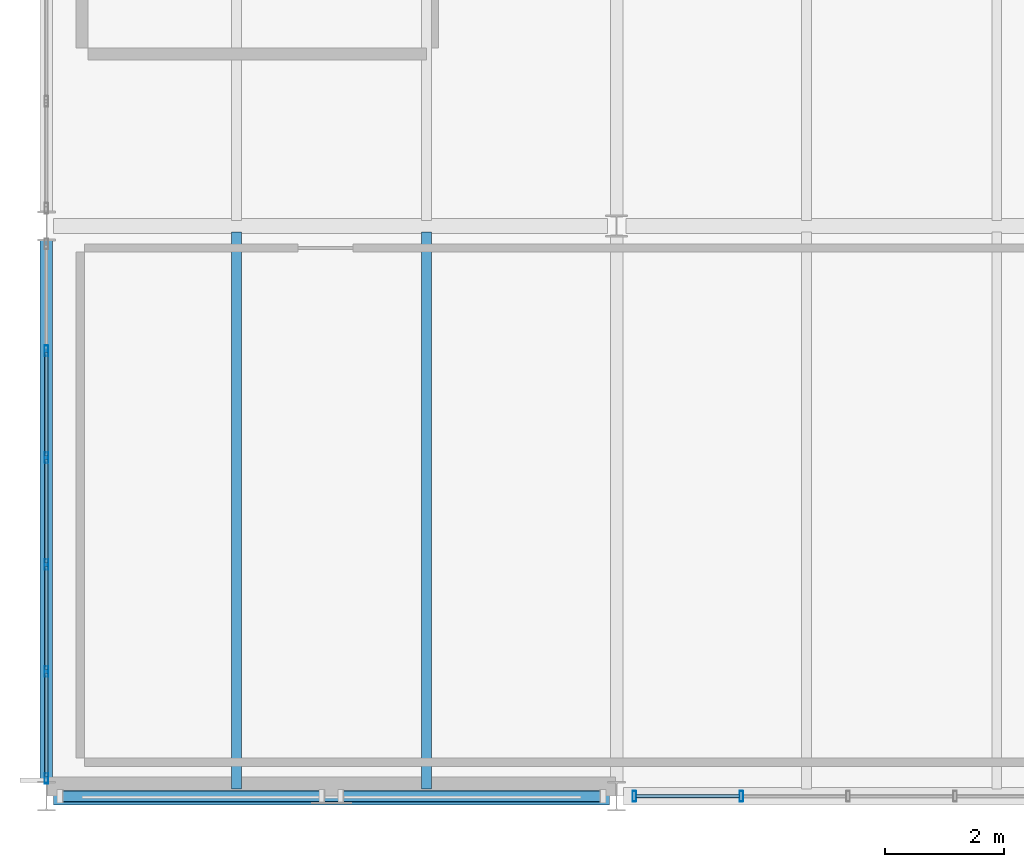
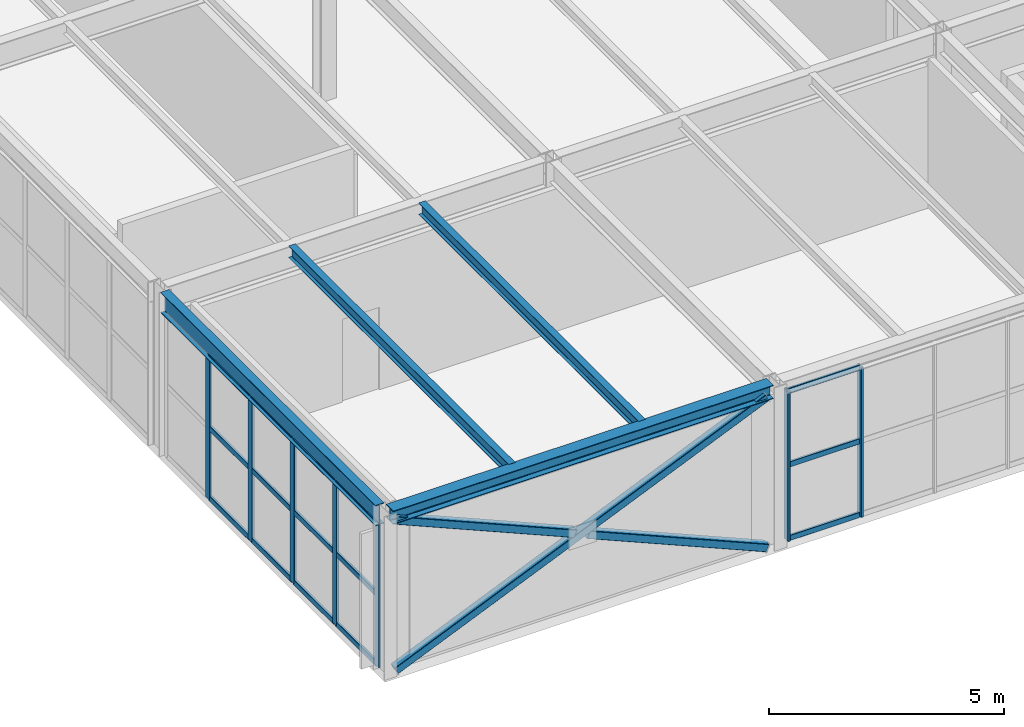
# One storey, part 16 of 170: 25 members, 4 beams, 2 elements without a shape of their own.
"""IFC4 building model written with IfcOpenShell, lengths in metres."""

from ifc_helpers import new_model, si_unit, direction, frame, origin, origin_2d, place, context, subcontext, project, spatial, hollow_rectangle, i_section, extrude, material, material_profile, profile_set, type_object, element, aggregate, save


model = new_model("IFC4")

# Units and contexts
model_context = context("Model", 3, precision=1e-05, world=origin(), true_north=direction((0.0, 1.0)))
body_context = subcontext(model_context, "Body", "Model", "MODEL_VIEW")
ifc_project = project(units=[si_unit("LENGTHUNIT", "METRE"), si_unit("AREAUNIT", "SQUARE_METRE"), si_unit("VOLUMEUNIT", "CUBIC_METRE"), si_unit("PLANEANGLEUNIT", "RADIAN"), si_unit("MASSUNIT", "GRAM", prefix="KILO")], contexts=[model_context])

# Site, building, storey
site_placement = place(None, origin())
site = spatial("IfcSite", under=ifc_project, at=site_placement, CompositionType="ELEMENT")
building_placement = place(site_placement, origin())
building = spatial("IfcBuilding", under=site, at=building_placement, Name="Coralgate Yard Interchange", CompositionType="ELEMENT")
storey_placement = place(building_placement, frame((0.0, 0.0, 6.0)))
storey = spatial("IfcBuildingStorey", under=building, at=storey_placement, Name="L01", CompositionType="ELEMENT", Elevation=6.0)

# Beams
ifc_material_1 = material(Name="Structural steel S355J2", Category="steel")
ifc_material_profile_1 = material_profile(ifc_material_1, i_section(OverallWidth=0.209228515625, OverallDepth=0.533203125, WebThickness=0.010009765625, FlangeThickness=0.015625, FilletRadius=0.0126953125, at=origin_2d()), Name="UB 533x210x92")
ifc_profile_set_1 = profile_set([ifc_material_profile_1], Name="Structural steel S355J2")
beam_type_1 = type_object("IfcBeamType", Name="BM-SB-1", PredefinedType="BEAM", material=ifc_profile_set_1)
beam_1_placement = place(storey_placement, frame((0.0, 0.219970703125, 3.9833984375), z_axis=(0.0, 1.0, 0.0), x_axis=(-1.0, 0.0, 0.0)))
element("IfcBeam", 1, at=beam_1_placement, inside=storey, type_object=beam_type_1, Name="L01 primary grid girder X0 Y0-1", PredefinedType="BEAM", context=body_context, shape_type="SweptSolid", body=[
    extrude(i_section(OverallWidth=0.209228515625, OverallDepth=0.533203125, WebThickness=0.010009765625, FlangeThickness=0.015625, FilletRadius=0.0126953125, at=origin_2d()), origin(), (0.0, 0.0, 1.0), 9.159912109375),
])
ifc_material_profile_2 = material_profile(ifc_material_1, i_section(OverallWidth=0.1650390625, OverallDepth=0.303466796875, WebThickness=0.006103515625, FlangeThickness=0.01025390625, FilletRadius=0.0087890625, at=origin_2d()), Name="UB 305x165x40")
ifc_profile_set_2 = profile_set([ifc_material_profile_2], Name="Structural steel S355J2")
beam_type_2 = type_object("IfcBeamType", Name="BM-SJ-1", PredefinedType="JOIST", material=ifc_profile_set_2)
for number, where, z_axis, x_axis, name in (
    (2, (3.199951171875, 0.1201171875, 4.098388671875), (0.0, 1.0, 0.0), (-1.0, 0.0, 0.0), "L01 composite floor joist 0-0-1"),
    (3, (6.39990234375, 0.1201171875, 4.098388671875), (0.0, 1.0, 0.0), (-1.0, 0.0, 0.0), "L01 composite floor joist 0-0-2"),
):
    element("IfcBeam", number, at=place(storey_placement, frame(where, z_axis=z_axis, x_axis=x_axis)), inside=storey, type_object=beam_type_2, Name=name, PredefinedType="JOIST", context=body_context, shape_type="SweptSolid", body=[
        extrude(i_section(OverallWidth=0.1650390625, OverallDepth=0.303466796875, WebThickness=0.006103515625, FlangeThickness=0.01025390625, FilletRadius=0.0087890625, at=origin_2d()), origin(), (0.0, 0.0, 1.0), 9.383056640625),
    ])
ifc_material_profile_3 = material_profile(ifc_material_1, i_section(OverallWidth=0.300048828125, OverallDepth=0.35009765625, WebThickness=0.010009765625, FlangeThickness=0.017578125, FilletRadius=0.027099609375, at=origin_2d()), Name="HEA 360")
ifc_profile_set_3 = profile_set([ifc_material_profile_3], Name="Structural steel S355J2")
beam_type_3 = type_object("IfcBeamType", Name="BM-SP-1", PredefinedType="SPANDREL", material=ifc_profile_set_3)
beam_2_placement = place(storey_placement, frame((0.1201171875, 0.0, 4.074951171875), z_axis=(1.0, 0.0, 0.0), x_axis=(0.0, 1.0, 0.0)))
element("IfcBeam", 4, at=beam_2_placement, inside=storey, type_object=beam_type_3, Name="L01 primary grid beam Y0 X0-1", PredefinedType="SPANDREL", context=body_context, shape_type="SweptSolid", body=[
    extrude(i_section(OverallWidth=0.300048828125, OverallDepth=0.35009765625, WebThickness=0.010009765625, FlangeThickness=0.017578125, FilletRadius=0.027099609375, at=origin_2d()), origin(), (0.0, 0.0, 1.0), 9.35986328125),
])

# Members
ifc_material_profile_4 = material_profile(ifc_material_1, hollow_rectangle(XDim=0.199951171875, YDim=0.199951171875, WallThickness=0.010009765625, InnerFilletRadius=0.010009765625, OuterFilletRadius=0.02001953125, at=origin_2d()), Name="SHS 200x200x10")
ifc_profile_set_4 = profile_set([ifc_material_profile_4], Name="Structural steel S355J2")
member_type_1 = type_object("IfcMemberType", Name="MB-BR-5", PredefinedType="BRACE", material=ifc_profile_set_4)
member_1_placement = place(storey_placement, frame((0.239990234375, 0.0, 0.02001953125), z_axis=(0.919097936952, 0.0, 0.394029164265), x_axis=(0.0, 1.0, 0.0)))
element("IfcMember", 5, at=member_1_placement, inside=storey, type_object=member_type_1, Name="L01 continuous concentric X-brace S-A", PredefinedType="BRACE", context=body_context, shape_type="SweptSolid", body=[
    extrude(hollow_rectangle(XDim=0.199951171875, YDim=0.199951171875, WallThickness=0.010009765625, InnerFilletRadius=0.010009765625, OuterFilletRadius=0.02001953125, at=origin_2d()), origin(), (0.0, 0.0, 1.0), 9.9228515625),
])
member_2_placement = place(storey_placement, frame((9.360107421875, 0.0, 0.02001953125), z_axis=(-0.919089549359, 0.0, 0.39404872828), x_axis=(0.0, -1.0, 0.0)))
element("IfcMember", 6, at=member_2_placement, inside=storey, type_object=member_type_1, Name="L01 split concentric X-brace S-B1", PredefinedType="BRACE", context=body_context, shape_type="SweptSolid", body=[
    extrude(hollow_rectangle(XDim=0.199951171875, YDim=0.199951171875, WallThickness=0.010009765625, InnerFilletRadius=0.010009765625, OuterFilletRadius=0.02001953125, at=origin_2d()), origin(), (0.0, 0.0, 1.0), 4.780517578125),
])
member_3_placement = place(storey_placement, frame((4.633544921875, 0.0, 2.04638671875), z_axis=(-0.919100115496, 0.0, 0.394024082633), x_axis=(0.0, -1.0, 0.0)))
element("IfcMember", 7, at=member_3_placement, inside=storey, type_object=member_type_1, Name="L01 split concentric X-brace S-B2", PredefinedType="BRACE", context=body_context, shape_type="SweptSolid", body=[
    extrude(hollow_rectangle(XDim=0.199951171875, YDim=0.199951171875, WallThickness=0.010009765625, InnerFilletRadius=0.010009765625, OuterFilletRadius=0.02001953125, at=origin_2d()), origin(), (0.0, 0.0, 1.0), 4.7802734375),
])

# Curtain wall, members
ifc_material_2 = material(Name="Anodised coastal aluminium and solar-control low-E glass", Category="aluminium")
curtain_wall_type_1 = type_object("IfcCurtainWallType", Name="CW-CW-L01-B", PredefinedType="NOTDEFINED", material=ifc_material_2)
curtain_wall_1_placement = place(storey_placement, origin())
curtain_wall_1 = element("IfcCurtainWall", 8, at=curtain_wall_1_placement, inside=storey, type_object=curtain_wall_type_1, Name="L01 unitised curtain wall CW-L01-W-00-00", PredefinedType="NOTDEFINED")
ifc_material_3 = material(Name="Anodised coastal aluminium 6063-T6", Category="aluminium")
ifc_material_profile_5 = material_profile(ifc_material_3, hollow_rectangle(XDim=0.06005859375, YDim=0.179931640625, WallThickness=0.00390625, InnerFilletRadius=0.00390625, OuterFilletRadius=0.008056640625, at=origin_2d()), Name="ALU 60x180x4")
ifc_profile_set_5 = profile_set([ifc_material_profile_5], Name="Anodised coastal aluminium 6063-T6")
member_type_2 = type_object("IfcMemberType", Name="MB-MUL-180", PredefinedType="MULLION", material=ifc_profile_set_5)
member_4_placement = place(storey_placement, frame((0.0, 0.300048828125, 0.0), z_axis=(0.0, 0.0, 1.0), x_axis=(1.0, 0.0, 0.0)))
member_4 = element("IfcMember", 9, at=member_4_placement, type_object=member_type_2, Name="CW-L01-W-00-00 vertical mullion 1", PredefinedType="MULLION", context=body_context, shape_type="SweptSolid", body=[
    extrude(hollow_rectangle(XDim=0.06005859375, YDim=0.179931640625, WallThickness=0.00390625, InnerFilletRadius=0.00390625, OuterFilletRadius=0.008056640625, at=origin_2d()), origin(), (0.0, 0.0, 1.0), 3.716796875),
])
member_5_placement = place(storey_placement, frame((0.0, 2.10009765625, 0.0), z_axis=(0.0, 0.0, 1.0), x_axis=(1.0, 0.0, 0.0)))
member_5 = element("IfcMember", 10, at=member_5_placement, type_object=member_type_2, Name="CW-L01-W-00-00 vertical mullion 2", PredefinedType="MULLION", context=body_context, shape_type="SweptSolid", body=[
    extrude(hollow_rectangle(XDim=0.06005859375, YDim=0.179931640625, WallThickness=0.00390625, InnerFilletRadius=0.00390625, OuterFilletRadius=0.008056640625, at=origin_2d()), origin(), (0.0, 0.0, 1.0), 3.716796875),
])
member_6_placement = place(storey_placement, frame((0.0, 3.89990234375, 0.0), z_axis=(0.0, 0.0, 1.0), x_axis=(1.0, 0.0, 0.0)))
member_6 = element("IfcMember", 11, at=member_6_placement, type_object=member_type_2, Name="CW-L01-W-00-00 vertical mullion 3", PredefinedType="MULLION", context=body_context, shape_type="SweptSolid", body=[
    extrude(hollow_rectangle(XDim=0.06005859375, YDim=0.179931640625, WallThickness=0.00390625, InnerFilletRadius=0.00390625, OuterFilletRadius=0.008056640625, at=origin_2d()), origin(), (0.0, 0.0, 1.0), 3.716796875),
])
member_7_placement = place(storey_placement, frame((0.0, 5.699951171875, 0.0), z_axis=(0.0, 0.0, 1.0), x_axis=(1.0, 0.0, 0.0)))
member_7 = element("IfcMember", 12, at=member_7_placement, type_object=member_type_2, Name="CW-L01-W-00-00 vertical mullion 4", PredefinedType="MULLION", context=body_context, shape_type="SweptSolid", body=[
    extrude(hollow_rectangle(XDim=0.06005859375, YDim=0.179931640625, WallThickness=0.00390625, InnerFilletRadius=0.00390625, OuterFilletRadius=0.008056640625, at=origin_2d()), origin(), (0.0, 0.0, 1.0), 3.716796875),
])
member_8_placement = place(storey_placement, frame((0.0, 7.5, 0.0), z_axis=(0.0, 0.0, 1.0), x_axis=(1.0, 0.0, 0.0)))
member_8 = element("IfcMember", 13, at=member_8_placement, type_object=member_type_2, Name="CW-L01-W-00-00 vertical mullion 5", PredefinedType="MULLION", context=body_context, shape_type="SweptSolid", body=[
    extrude(hollow_rectangle(XDim=0.06005859375, YDim=0.179931640625, WallThickness=0.00390625, InnerFilletRadius=0.00390625, OuterFilletRadius=0.008056640625, at=origin_2d()), origin(), (0.0, 0.0, 1.0), 3.716796875),
])

curtain_wall_type_2 = type_object("IfcCurtainWallType", Name="CW-CW-L01-A", PredefinedType="NOTDEFINED", material=ifc_material_2)
curtain_wall_2_placement = place(storey_placement, origin())
curtain_wall_2 = element("IfcCurtainWall", 14, at=curtain_wall_2_placement, inside=storey, type_object=curtain_wall_type_2, Name="L01 unitised curtain wall CW-L01-S-01-00", PredefinedType="NOTDEFINED")
member_9_placement = place(storey_placement, frame((11.699951171875, 0.0, 0.0), z_axis=(0.0, 0.0, 1.0), x_axis=(1.0, 0.0, 0.0)))
member_9 = element("IfcMember", 15, at=member_9_placement, type_object=member_type_2, Name="CW-L01-S-01-00 vertical mullion 5", PredefinedType="MULLION", context=body_context, shape_type="SweptSolid", body=[
    extrude(hollow_rectangle(XDim=0.06005859375, YDim=0.179931640625, WallThickness=0.00390625, InnerFilletRadius=0.00390625, OuterFilletRadius=0.008056640625, at=origin_2d()), origin(), (0.0, 0.0, 1.0), 3.89990234375),
])
member_10_placement = place(storey_placement, frame((9.89990234375, 0.0, 0.0), z_axis=(0.0, 0.0, 1.0), x_axis=(1.0, 0.0, 0.0)))
member_10 = element("IfcMember", 16, at=member_10_placement, type_object=member_type_2, Name="CW-L01-S-01-00 vertical mullion 6", PredefinedType="MULLION", context=body_context, shape_type="SweptSolid", body=[
    extrude(hollow_rectangle(XDim=0.06005859375, YDim=0.179931640625, WallThickness=0.00390625, InnerFilletRadius=0.00390625, OuterFilletRadius=0.008056640625, at=origin_2d()), origin(), (0.0, 0.0, 1.0), 3.89990234375),
])

# Member
ifc_material_profile_6 = material_profile(ifc_material_3, hollow_rectangle(XDim=0.06005859375, YDim=0.139892578125, WallThickness=0.00341796875, InnerFilletRadius=0.00341796875, OuterFilletRadius=0.007080078125, at=origin_2d()), Name="ALU 60x140x3.5")
ifc_profile_set_6 = profile_set([ifc_material_profile_6], Name="Anodised coastal aluminium 6063-T6")
member_type_3 = type_object("IfcMemberType", Name="MB-TRN-140", PredefinedType="USERDEFINED", material=ifc_profile_set_6)
member_11_placement = place(storey_placement, frame((0.0, 0.330078125, 0.034912109375), z_axis=(0.0, 1.0, 0.0), x_axis=(-1.0, 0.0, 0.0)))
member_11 = element("IfcMember", 17, at=member_11_placement, type_object=member_type_3, Name="CW-L01-W-00-00 horizontal transom 1-1", ObjectType="TRANSOM", PredefinedType="USERDEFINED", context=body_context, shape_type="SweptSolid", body=[
    extrude(hollow_rectangle(XDim=0.06005859375, YDim=0.139892578125, WallThickness=0.00341796875, InnerFilletRadius=0.00341796875, OuterFilletRadius=0.007080078125, at=origin_2d()), origin(), (0.0, 0.0, 1.0), 1.739990234375),
])

member_12_placement = place(storey_placement, frame((0.0, 0.330078125, 1.8583984375), z_axis=(0.0, 1.0, 0.0), x_axis=(-1.0, 0.0, 0.0)))
member_12 = element("IfcMember", 18, at=member_12_placement, type_object=member_type_3, Name="CW-L01-W-00-00 horizontal transom 1-2", ObjectType="TRANSOM", PredefinedType="USERDEFINED", context=body_context, shape_type="SweptSolid", body=[
    extrude(hollow_rectangle(XDim=0.06005859375, YDim=0.139892578125, WallThickness=0.00341796875, InnerFilletRadius=0.00341796875, OuterFilletRadius=0.007080078125, at=origin_2d()), origin(), (0.0, 0.0, 1.0), 1.739990234375),
])

member_13_placement = place(storey_placement, frame((0.0, 0.330078125, 3.681884765625), z_axis=(0.0, 1.0, 0.0), x_axis=(-1.0, 0.0, 0.0)))
member_13 = element("IfcMember", 19, at=member_13_placement, type_object=member_type_3, Name="CW-L01-W-00-00 horizontal transom 1-3", ObjectType="TRANSOM", PredefinedType="USERDEFINED", context=body_context, shape_type="SweptSolid", body=[
    extrude(hollow_rectangle(XDim=0.06005859375, YDim=0.139892578125, WallThickness=0.00341796875, InnerFilletRadius=0.00341796875, OuterFilletRadius=0.007080078125, at=origin_2d()), origin(), (0.0, 0.0, 1.0), 1.739990234375),
])

member_14_placement = place(storey_placement, frame((0.0, 2.1298828125, 0.034912109375), z_axis=(0.0, 1.0, 0.0), x_axis=(-1.0, 0.0, 0.0)))
member_14 = element("IfcMember", 20, at=member_14_placement, type_object=member_type_3, Name="CW-L01-W-00-00 horizontal transom 2-1", ObjectType="TRANSOM", PredefinedType="USERDEFINED", context=body_context, shape_type="SweptSolid", body=[
    extrude(hollow_rectangle(XDim=0.06005859375, YDim=0.139892578125, WallThickness=0.00341796875, InnerFilletRadius=0.00341796875, OuterFilletRadius=0.007080078125, at=origin_2d()), origin(), (0.0, 0.0, 1.0), 1.740234375),
])

member_15_placement = place(storey_placement, frame((0.0, 2.1298828125, 1.8583984375), z_axis=(0.0, 1.0, 0.0), x_axis=(-1.0, 0.0, 0.0)))
member_15 = element("IfcMember", 21, at=member_15_placement, type_object=member_type_3, Name="CW-L01-W-00-00 horizontal transom 2-2", ObjectType="TRANSOM", PredefinedType="USERDEFINED", context=body_context, shape_type="SweptSolid", body=[
    extrude(hollow_rectangle(XDim=0.06005859375, YDim=0.139892578125, WallThickness=0.00341796875, InnerFilletRadius=0.00341796875, OuterFilletRadius=0.007080078125, at=origin_2d()), origin(), (0.0, 0.0, 1.0), 1.740234375),
])

member_16_placement = place(storey_placement, frame((0.0, 2.1298828125, 3.681884765625), z_axis=(0.0, 1.0, 0.0), x_axis=(-1.0, 0.0, 0.0)))
member_16 = element("IfcMember", 22, at=member_16_placement, type_object=member_type_3, Name="CW-L01-W-00-00 horizontal transom 2-3", ObjectType="TRANSOM", PredefinedType="USERDEFINED", context=body_context, shape_type="SweptSolid", body=[
    extrude(hollow_rectangle(XDim=0.06005859375, YDim=0.139892578125, WallThickness=0.00341796875, InnerFilletRadius=0.00341796875, OuterFilletRadius=0.007080078125, at=origin_2d()), origin(), (0.0, 0.0, 1.0), 1.740234375),
])

member_17_placement = place(storey_placement, frame((0.0, 3.929931640625, 0.034912109375), z_axis=(0.0, 1.0, 0.0), x_axis=(-1.0, 0.0, 0.0)))
member_17 = element("IfcMember", 23, at=member_17_placement, type_object=member_type_3, Name="CW-L01-W-00-00 horizontal transom 3-1", ObjectType="TRANSOM", PredefinedType="USERDEFINED", context=body_context, shape_type="SweptSolid", body=[
    extrude(hollow_rectangle(XDim=0.06005859375, YDim=0.139892578125, WallThickness=0.00341796875, InnerFilletRadius=0.00341796875, OuterFilletRadius=0.007080078125, at=origin_2d()), origin(), (0.0, 0.0, 1.0), 1.739990234375),
])

member_18_placement = place(storey_placement, frame((0.0, 3.929931640625, 1.8583984375), z_axis=(0.0, 1.0, 0.0), x_axis=(-1.0, 0.0, 0.0)))
member_18 = element("IfcMember", 24, at=member_18_placement, type_object=member_type_3, Name="CW-L01-W-00-00 horizontal transom 3-2", ObjectType="TRANSOM", PredefinedType="USERDEFINED", context=body_context, shape_type="SweptSolid", body=[
    extrude(hollow_rectangle(XDim=0.06005859375, YDim=0.139892578125, WallThickness=0.00341796875, InnerFilletRadius=0.00341796875, OuterFilletRadius=0.007080078125, at=origin_2d()), origin(), (0.0, 0.0, 1.0), 1.739990234375),
])

member_19_placement = place(storey_placement, frame((0.0, 3.929931640625, 3.681884765625), z_axis=(0.0, 1.0, 0.0), x_axis=(-1.0, 0.0, 0.0)))
member_19 = element("IfcMember", 25, at=member_19_placement, type_object=member_type_3, Name="CW-L01-W-00-00 horizontal transom 3-3", ObjectType="TRANSOM", PredefinedType="USERDEFINED", context=body_context, shape_type="SweptSolid", body=[
    extrude(hollow_rectangle(XDim=0.06005859375, YDim=0.139892578125, WallThickness=0.00341796875, InnerFilletRadius=0.00341796875, OuterFilletRadius=0.007080078125, at=origin_2d()), origin(), (0.0, 0.0, 1.0), 1.739990234375),
])

member_20_placement = place(storey_placement, frame((0.0, 5.72998046875, 0.034912109375), z_axis=(0.0, 1.0, 0.0), x_axis=(-1.0, 0.0, 0.0)))
member_20 = element("IfcMember", 26, at=member_20_placement, type_object=member_type_3, Name="CW-L01-W-00-00 horizontal transom 4-1", ObjectType="TRANSOM", PredefinedType="USERDEFINED", context=body_context, shape_type="SweptSolid", body=[
    extrude(hollow_rectangle(XDim=0.06005859375, YDim=0.139892578125, WallThickness=0.00341796875, InnerFilletRadius=0.00341796875, OuterFilletRadius=0.007080078125, at=origin_2d()), origin(), (0.0, 0.0, 1.0), 1.739990234375),
])

member_21_placement = place(storey_placement, frame((0.0, 5.72998046875, 1.8583984375), z_axis=(0.0, 1.0, 0.0), x_axis=(-1.0, 0.0, 0.0)))
member_21 = element("IfcMember", 27, at=member_21_placement, type_object=member_type_3, Name="CW-L01-W-00-00 horizontal transom 4-2", ObjectType="TRANSOM", PredefinedType="USERDEFINED", context=body_context, shape_type="SweptSolid", body=[
    extrude(hollow_rectangle(XDim=0.06005859375, YDim=0.139892578125, WallThickness=0.00341796875, InnerFilletRadius=0.00341796875, OuterFilletRadius=0.007080078125, at=origin_2d()), origin(), (0.0, 0.0, 1.0), 1.739990234375),
])

member_22_placement = place(storey_placement, frame((0.0, 5.72998046875, 3.681884765625), z_axis=(0.0, 1.0, 0.0), x_axis=(-1.0, 0.0, 0.0)))
member_22 = element("IfcMember", 28, at=member_22_placement, type_object=member_type_3, Name="CW-L01-W-00-00 horizontal transom 4-3", ObjectType="TRANSOM", PredefinedType="USERDEFINED", context=body_context, shape_type="SweptSolid", body=[
    extrude(hollow_rectangle(XDim=0.06005859375, YDim=0.139892578125, WallThickness=0.00341796875, InnerFilletRadius=0.00341796875, OuterFilletRadius=0.007080078125, at=origin_2d()), origin(), (0.0, 0.0, 1.0), 1.739990234375),
])

aggregate(curtain_wall_1, [member_4, member_5, member_6, member_7, member_8, member_11, member_12, member_13, member_14, member_15, member_16, member_17, member_18, member_19, member_20, member_21, member_22])

member_23_placement = place(storey_placement, frame((11.669921875, 0.0, 0.034912109375), z_axis=(-1.0, 0.0, 0.0), x_axis=(0.0, -1.0, 0.0)))
member_23 = element("IfcMember", 29, at=member_23_placement, type_object=member_type_3, Name="CW-L01-S-01-00 horizontal transom 5-1", ObjectType="TRANSOM", PredefinedType="USERDEFINED", context=body_context, shape_type="SweptSolid", body=[
    extrude(hollow_rectangle(XDim=0.06005859375, YDim=0.139892578125, WallThickness=0.00341796875, InnerFilletRadius=0.00341796875, OuterFilletRadius=0.007080078125, at=origin_2d()), origin(), (0.0, 0.0, 1.0), 1.739990234375),
])

member_24_placement = place(storey_placement, frame((11.669921875, 0.0, 1.949951171875), z_axis=(-1.0, 0.0, 0.0), x_axis=(0.0, -1.0, 0.0)))
member_24 = element("IfcMember", 30, at=member_24_placement, type_object=member_type_3, Name="CW-L01-S-01-00 horizontal transom 5-2", ObjectType="TRANSOM", PredefinedType="USERDEFINED", context=body_context, shape_type="SweptSolid", body=[
    extrude(hollow_rectangle(XDim=0.06005859375, YDim=0.139892578125, WallThickness=0.00341796875, InnerFilletRadius=0.00341796875, OuterFilletRadius=0.007080078125, at=origin_2d()), origin(), (0.0, 0.0, 1.0), 1.739990234375),
])

member_25_placement = place(storey_placement, frame((11.669921875, 0.0, 3.864990234375), z_axis=(-1.0, 0.0, 0.0), x_axis=(0.0, -1.0, 0.0)))
member_25 = element("IfcMember", 31, at=member_25_placement, type_object=member_type_3, Name="CW-L01-S-01-00 horizontal transom 5-3", ObjectType="TRANSOM", PredefinedType="USERDEFINED", context=body_context, shape_type="SweptSolid", body=[
    extrude(hollow_rectangle(XDim=0.06005859375, YDim=0.139892578125, WallThickness=0.00341796875, InnerFilletRadius=0.00341796875, OuterFilletRadius=0.007080078125, at=origin_2d()), origin(), (0.0, 0.0, 1.0), 1.739990234375),
])

aggregate(curtain_wall_2, [member_9, member_10, member_23, member_24, member_25])

save(model, "model.ifc")
